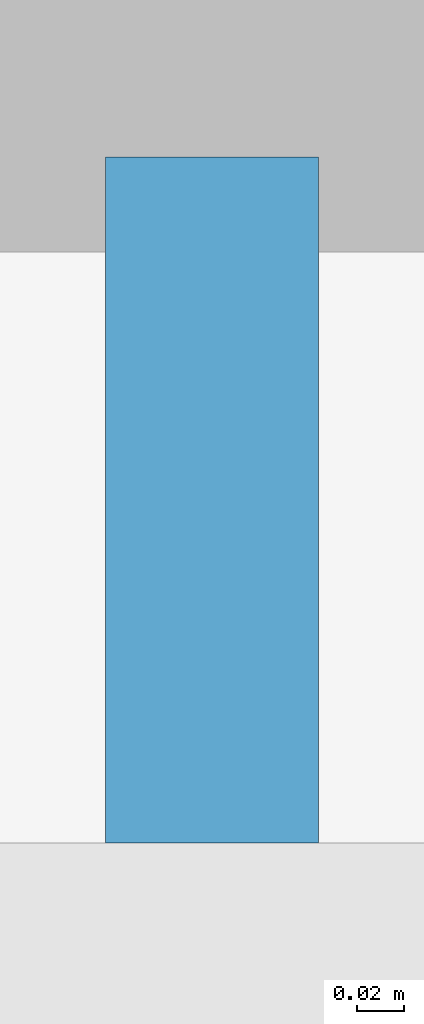
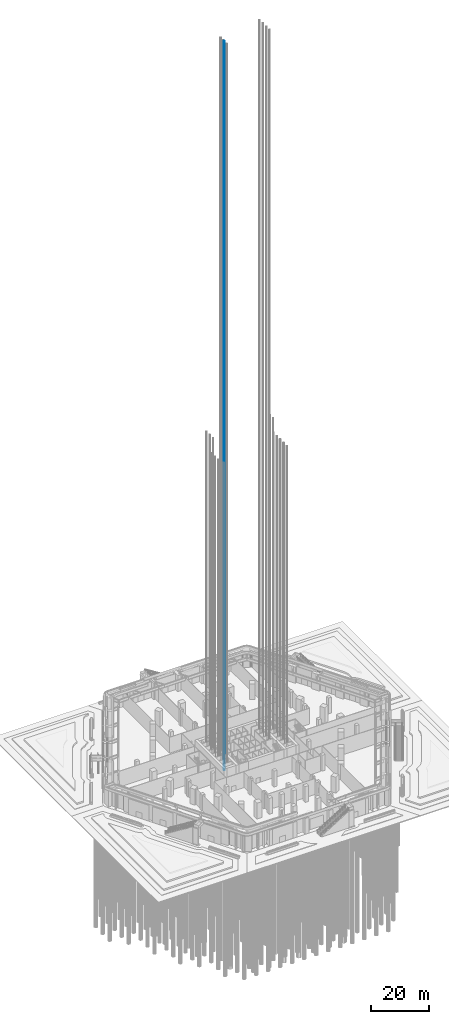
# One storey, part 40 of 68: 1 discrete accessory.
"""IFC4 building model written with IfcOpenShell, lengths in metres."""

from ifc_helpers import new_model, si_unit, direction, frame, origin, origin_2d, place, context, subcontext, project, spatial, rectangle, extrude, element, save


model = new_model("IFC4")

# Units and contexts
model_context = context("Model", 3, precision=1e-05, world=origin(), true_north=direction((0.0, 1.0)))
body_context = subcontext(model_context, "Body", "Model", "MODEL_VIEW")
ifc_project = project(units=[si_unit("LENGTHUNIT", "METRE"), si_unit("AREAUNIT", "SQUARE_METRE"), si_unit("VOLUMEUNIT", "CUBIC_METRE"), si_unit("PLANEANGLEUNIT", "RADIAN"), si_unit("MASSUNIT", "GRAM", prefix="KILO")], contexts=[model_context])

# Site, building, storey
site_placement = place(None, origin())
site = spatial("IfcSite", under=ifc_project, at=site_placement, CompositionType="ELEMENT")
building_placement = place(site_placement, origin())
building = spatial("IfcBuilding", under=site, at=building_placement, Name="Kolab Exchange Tower", CompositionType="ELEMENT")
storey_placement = place(building_placement, origin())
storey = spatial("IfcBuildingStorey", under=building, at=storey_placement, Name="L00", CompositionType="ELEMENT", Elevation=0.0)

# Discrete accessory
discrete_accessory_placement = place(storey_placement, frame((-9.199951171875, -0.2548828125, -1.599853515625), z_axis=(0.0, 0.0, 1.0), x_axis=(1.0, 0.0, 0.0)))
element("IfcDiscreteAccessory", 1, at=discrete_accessory_placement, inside=storey, Name="Guide rail FF1-2", ObjectType="GUIDE RAIL", PredefinedType="USERDEFINED", context=body_context, shape_type="SweptSolid", body=[
    extrude(rectangle(XDim=0.090087890625, YDim=0.2900390625, at=origin_2d()), origin(), (0.0, 0.0, 1.0), 307.89990234375),
])

save(model, "model.ifc")
